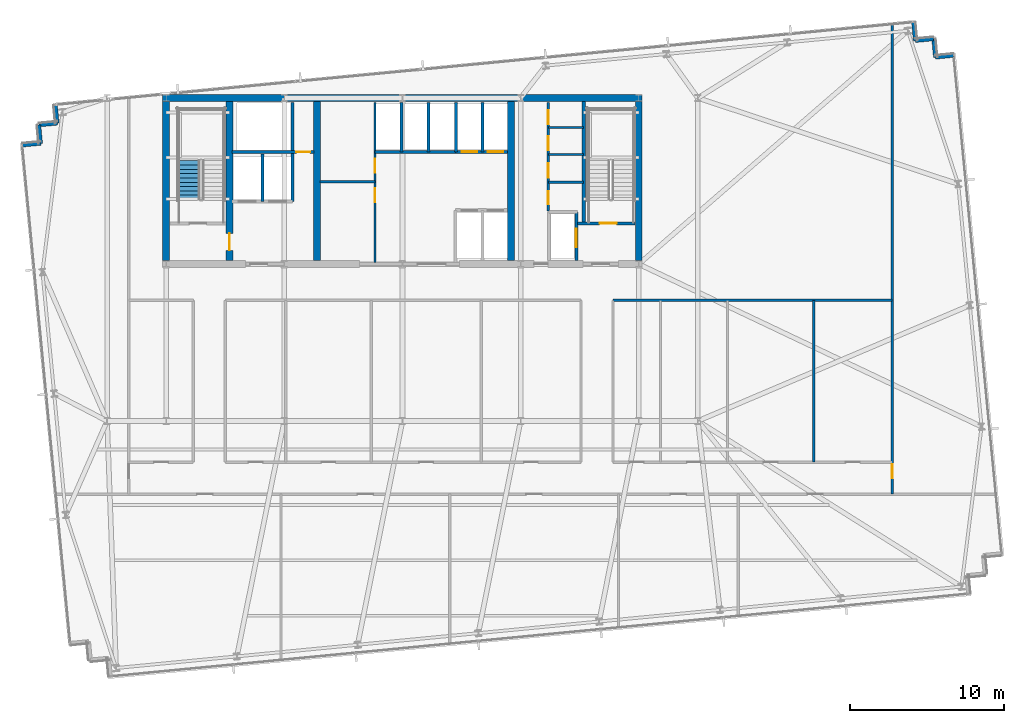
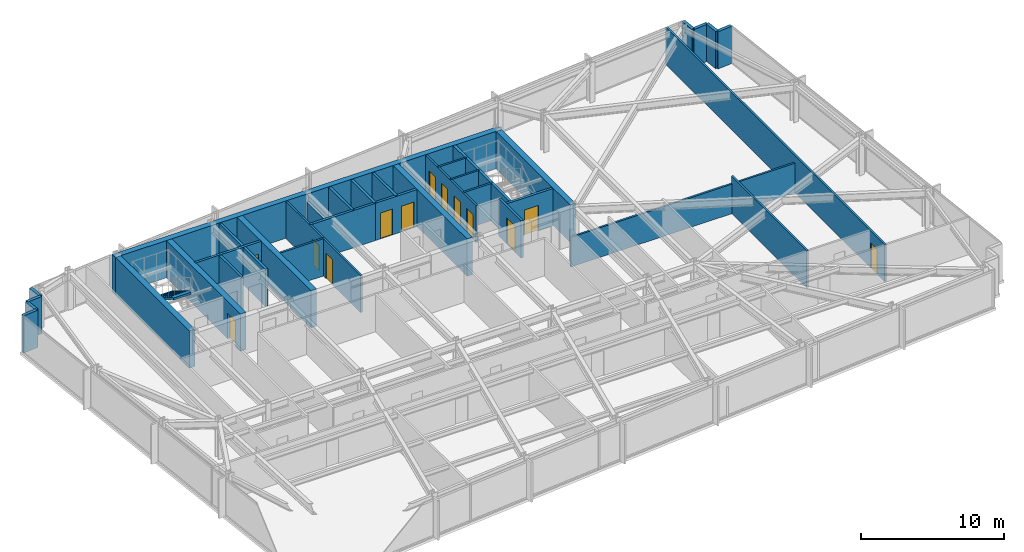
# One storey, part 26 of 33: 35 walls, 13 doors, 1 stair flight, 13 openings, 1 element without a shape of its own.
"""IFC4 building model written with IfcOpenShell, lengths in metres."""

from ifc_helpers import new_model, si_unit, direction, frame, frame_2d, origin, place, context, subcontext, project, spatial, polyline, rectangle, outline, extrude, material, layer, layer_set, type_object, element, fill, aggregate, save


model = new_model("IFC4")

# Units and contexts
model_context = context("Model", 3, precision=1e-05, world=origin(), true_north=direction((0.0, 1.0)))
body_context = subcontext(model_context, "Body", "Model", "MODEL_VIEW")
ifc_project = project(units=[si_unit("LENGTHUNIT", "METRE"), si_unit("AREAUNIT", "SQUARE_METRE"), si_unit("VOLUMEUNIT", "CUBIC_METRE"), si_unit("PLANEANGLEUNIT", "RADIAN"), si_unit("MASSUNIT", "GRAM", prefix="KILO")], contexts=[model_context])

# Site, building, storey
site_placement = place(None, origin())
site = spatial("IfcSite", under=ifc_project, at=site_placement, CompositionType="ELEMENT")
building_placement = place(site_placement, origin())
building = spatial("IfcBuilding", under=site, at=building_placement, Name="Yelkora Congress Tower", CompositionType="ELEMENT")
storey_placement = place(building_placement, frame((0.0, 0.0, 127.10009765625)))
storey = spatial("IfcBuildingStorey", under=building, at=storey_placement, Name="L34", CompositionType="ELEMENT", Elevation=127.10009765625)

# Walls
ifc_material_1 = material(Name="Concrete C50/60", Category="concrete")
ifc_layer_1 = layer(ifc_material_1, 0.219970703125)
ifc_layer_set_1 = layer_set([ifc_layer_1], Name="Concrete C50/60")
wall_type_1 = type_object("IfcWallType", Name="WALL-CORE-INT-220", PredefinedType="SHEAR", material=ifc_layer_set_1)
wall_1_placement = place(storey_placement, frame((50.179931640625, 38.050048828125, 0.0), z_axis=(0.0, 0.0, 1.0), x_axis=(0.0, 1.0, 0.0)))
element("IfcWall", 1, at=wall_1_placement, inside=storey, type_object=wall_type_1, Name="L34 ST02 West Stair Shear Wall", PredefinedType="SHEAR", context=body_context, shape_type="SweptSolid", body=[
    extrude(rectangle(XDim=7.925048828125, YDim=0.219970703125, at=frame_2d((3.96240234375, 0.0))), origin(), (0.0, 0.0, 1.0), 3.179931640625),
])
ifc_material_2 = material(Name="Concrete C60/75", Category="concrete")
ifc_layer_2 = layer(ifc_material_2, 0.449951171875)
ifc_layer_set_2 = layer_set([ifc_layer_2], Name="Concrete C60/75")
wall_type_2 = type_object("IfcWallType", Name="WALL-CORE-INT-450", PredefinedType="SHEAR", material=ifc_layer_set_2)
wall_2_placement = place(storey_placement, frame((22.81494140625, 46.199951171875, 0.0), z_axis=(0.0, 0.0, 1.0), x_axis=(1.0, 0.0, 0.0)))
element("IfcWall", 2, at=wall_2_placement, inside=storey, type_object=wall_type_2, Name="L34 Rear Core North Shear Wall", PredefinedType="SHEAR", context=body_context, shape_type="SweptSolid", body=[
    extrude(rectangle(XDim=31.170166015625, YDim=0.449951171875, at=frame_2d((15.5849609375, 0.0))), origin(), (0.0, 0.0, 1.0), 3.179931640625),
])
wall_3_placement = place(storey_placement, frame((23.0400390625, 35.625, 0.0), z_axis=(0.0, 0.0, 1.0), x_axis=(0.0, 1.0, 0.0)))
element("IfcWall", 3, at=wall_3_placement, inside=storey, type_object=wall_type_2, Name="L34 Rear Core Cross Shear Wall W", PredefinedType="SHEAR", context=body_context, shape_type="SweptSolid", body=[
    extrude(rectangle(XDim=10.35009765625, YDim=0.449951171875, at=frame_2d((5.175048828125, 0.0))), origin(), (0.0, 0.0, 1.0), 3.179931640625),
])

# Wall, opening, door
wall_4_placement = place(storey_placement, frame((27.14990234375, 35.625, 0.0), z_axis=(0.0, 0.0, 1.0), x_axis=(0.0, 1.0, 0.0)))
wall_4 = element("IfcWall", 4, at=wall_4_placement, inside=storey, type_object=wall_type_2, Name="L34 Rear Core Cross Shear Wall C1", PredefinedType="SHEAR", context=body_context, shape_type="SweptSolid", body=[
    extrude(rectangle(XDim=10.35009765625, YDim=0.449951171875, at=frame_2d((5.175048828125, 0.0))), origin(), (0.0, 0.0, 1.0), 3.179931640625),
])
opening_1_placement = place(wall_4_placement, frame((0.675048828125, 0.0, 0.0)))
opening_1 = element("IfcOpeningElement", 5, at=opening_1_placement, cuts=wall_4, Name="Opening DR-110F9", PredefinedType="OPENING", context=body_context, shape_type="SweptSolid", body=[
    extrude(rectangle(XDim=1.10009765625, YDim=2.14990234375, at=frame_2d((0.550048828125, 1.074951171875))), frame((0.0, 0.23486328125, 0.0), z_axis=(0.0, -1.0, 0.0), x_axis=(1.0, 0.0, 0.0)), (0.0, 0.0, 1.0), 0.469970703125),
])
ifc_material_3 = material(Name="Galvanised steel fire door leaf", Category="steel")
door_type_1 = type_object("IfcDoorType", Name="DOOR-FD90-1100", OperationType="NOTDEFINED", PredefinedType="DOOR", material=ifc_material_3)
door_1_placement = place(opening_1_placement, origin())
door_1 = element("IfcDoor", 6, at=door_1_placement, inside=storey, type_object=door_type_1, Name="L34 Firefighting Stair Transfer Door", OperationType="SINGLE_SWING_LEFT", OverallHeight=2.14990234375, OverallWidth=1.10009765625, PredefinedType="DOOR", context=body_context, shape_type="SweptSolid", body=[
    extrude(rectangle(XDim=1.10009765625, YDim=2.14990234375, at=frame_2d((0.550048828125, 1.074951171875))), frame((0.0, 0.02490234375, 0.0), z_axis=(0.0, -1.0, 0.0), x_axis=(1.0, 0.0, 0.0)), (0.0, 0.0, 1.0), 0.050048828125),
])
fill(opening_1, door_1)

# Walls
for number, where, z_axis, x_axis, name in (
    (7, (32.85009765625, 35.625, 0.0), (0.0, 0.0, 1.0), (0.0, 1.0, 0.0), "L34 Rear Core Cross Shear Wall C2"),
    (8, (45.449951171875, 35.625, 0.0), (0.0, 0.0, 1.0), (0.0, 1.0, 0.0), "L34 Rear Core Cross Shear Wall C3"),
    (9, (53.760009765625, 35.625, 0.0), (0.0, 0.0, 1.0), (0.0, 1.0, 0.0), "L34 Rear Core Cross Shear Wall E"),
):
    element("IfcWall", number, at=place(storey_placement, frame(where, z_axis=z_axis, x_axis=x_axis)), inside=storey, type_object=wall_type_2, Name=name, PredefinedType="SHEAR", context=body_context, shape_type="SweptSolid", body=[
        extrude(rectangle(XDim=10.35009765625, YDim=0.449951171875, at=frame_2d((5.175048828125, 0.0))), origin(), (0.0, 0.0, 1.0), 3.179931640625),
    ])
ifc_material_4 = material(Name="Concrete C40/50", Category="concrete")
ifc_layer_3 = layer(ifc_material_4, 0.239990234375)
ifc_layer_set_3 = layer_set([ifc_layer_3], Name="Concrete C40/50")
wall_type_3 = type_object("IfcWallType", Name="WALL-EXT-LIMESTONE-240", PredefinedType="SOLIDWALL", material=ifc_layer_set_3)
for number, where, z_axis, x_axis, name in (
    (10, (13.69091796875, 43.126708984375, 0.0), (0.0, 0.0, 1.0), (0.995398960025, 0.095817067274, 0.0), "L34 Serrated Corner Limestone Pier 6"),
    (11, (14.885498046875, 43.24169921875, 0.0), (0.0, 0.0, 1.0), (-0.095817067274, 0.995398960025, 0.0), "L34 Serrated Corner Limestone Pier 7"),
):
    element("IfcWall", number, at=place(storey_placement, frame(where, z_axis=z_axis, x_axis=x_axis)), inside=storey, type_object=wall_type_3, Name=name, PredefinedType="SOLIDWALL", context=body_context, shape_type="SweptSolid", body=[
        extrude(rectangle(XDim=1.2001953125, YDim=0.239990234375, at=frame_2d((0.60009765625, 0.0))), origin(), (0.0, 0.0, 1.0), 3.179931640625),
    ])
for number, where, z_axis, x_axis, name in (
    (12, (14.7705078125, 44.436279296875, 0.0), (0.0, 0.0, 1.0), (0.995397091755, 0.095836473879, 0.0), "L34 Serrated Corner Limestone Pier 8"),
    (13, (15.96484375, 44.55126953125, 0.0), (0.0, 0.0, 1.0), (-0.095836473879, 0.995397091755, 0.0), "L34 Serrated Corner Limestone Pier 9"),
):
    element("IfcWall", number, at=place(storey_placement, frame(where, z_axis=z_axis, x_axis=x_axis)), inside=storey, type_object=wall_type_3, Name=name, PredefinedType="SOLIDWALL", context=body_context, shape_type="SweptSolid", body=[
        extrude(rectangle(XDim=1.199951171875, YDim=0.239990234375, at=frame_2d((0.60009765625, 0.0))), origin(), (0.0, 0.0, 1.0), 3.179931640625),
    ])
for number, where, z_axis, x_axis, name in (
    (14, (71.61181640625, 51.114990234375, 0.0), (0.0, 0.0, 1.0), (0.095817067274, -0.995398960025, 0.0), "L34 Serrated Corner Limestone Pier 11"),
    (15, (71.726806640625, 49.92041015625, 0.0), (0.0, 0.0, 1.0), (0.995398960025, 0.095817067274, 0.0), "L34 Serrated Corner Limestone Pier 12"),
    (16, (72.92138671875, 50.035400390625, 0.0), (0.0, 0.0, 1.0), (0.095817067274, -0.995398960025, 0.0), "L34 Serrated Corner Limestone Pier 13"),
    (17, (73.036376953125, 48.8408203125, 0.0), (0.0, 0.0, 1.0), (0.995379537303, 0.096018626938, 0.0), "L34 Serrated Corner Limestone Pier 14"),
):
    element("IfcWall", number, at=place(storey_placement, frame(where, z_axis=z_axis, x_axis=x_axis)), inside=storey, type_object=wall_type_3, Name=name, PredefinedType="SOLIDWALL", context=body_context, shape_type="SweptSolid", body=[
        extrude(rectangle(XDim=1.2001953125, YDim=0.239990234375, at=frame_2d((0.60009765625, 0.0))), origin(), (0.0, 0.0, 1.0), 3.179931640625),
    ])
ifc_material_5 = material(Name="Acoustic metal-stud gypsum partition", Category="gypsum")
ifc_layer_4 = layer(ifc_material_5, 0.14990234375)
ifc_layer_set_4 = layer_set([ifc_layer_4], Name="Acoustic metal-stud gypsum partition")
wall_type_4 = type_object("IfcWallType", Name="WALL-INT-150-NR", PredefinedType="PARTITIONING", material=ifc_layer_set_4)
for number, where, z_axis, x_axis, name in (
    (18, (47.8798828125, 40.719970703125, 0.0), (0.0, 0.0, 1.0), (1.0, 0.0, 0.0), "L34 Partition Wall 24"),
    (19, (47.8798828125, 42.52001953125, 0.0), (0.0, 0.0, 1.0), (1.0, 0.0, 0.0), "L34 Partition Wall 25"),
    (20, (47.8798828125, 44.280029296875, 0.0), (0.0, 0.0, 1.0), (1.0, 0.0, 0.0), "L34 Partition Wall 26"),
):
    element("IfcWall", number, at=place(storey_placement, frame(where, z_axis=z_axis, x_axis=x_axis)), inside=storey, type_object=wall_type_4, Name=name, PredefinedType="PARTITIONING", context=body_context, shape_type="SweptSolid", body=[
        extrude(rectangle(XDim=2.300048828125, YDim=0.14990234375, at=frame_2d((1.14990234375, 0.0))), origin(), (0.0, 0.0, 1.0), 3.179931640625),
    ])

# Wall, openings, doors
wall_5_placement = place(storey_placement, frame((47.8798828125, 38.85009765625, 0.0), z_axis=(0.0, 0.0, 1.0), x_axis=(0.0, 1.0, 0.0)))
wall_5 = element("IfcWall", 21, at=wall_5_placement, inside=storey, type_object=wall_type_4, Name="L34 Partition Wall 27", PredefinedType="PARTITIONING", context=body_context, shape_type="SweptSolid", body=[
    extrude(rectangle(XDim=7.06982421875, YDim=0.14990234375, at=frame_2d((3.534912109375, 0.0))), origin(), (0.0, 0.0, 1.0), 3.179931640625),
])
opening_2_placement = place(wall_5_placement, frame((0.449951171875, 0.0, 0.0)))
opening_2 = element("IfcOpeningElement", 22, at=opening_2_placement, cuts=wall_5, Name="Opening DR-085N", PredefinedType="OPENING", context=body_context, shape_type="SweptSolid", body=[
    extrude(rectangle(XDim=0.85009765625, YDim=2.14990234375, at=frame_2d((0.425048828125, 1.074951171875))), frame((0.0, 0.0849609375, 0.0), z_axis=(0.0, -1.0, 0.0), x_axis=(1.0, 0.0, 0.0)), (0.0, 0.0, 1.0), 0.169921875),
])
opening_3_placement = place(wall_5_placement, frame((2.14990234375, 0.0, 0.0)))
opening_3 = element("IfcOpeningElement", 23, at=opening_3_placement, cuts=wall_5, Name="Opening DR-095N", PredefinedType="OPENING", context=body_context, shape_type="SweptSolid", body=[
    extrude(rectangle(XDim=0.949951171875, YDim=2.14990234375, at=frame_2d((0.47509765625, 1.074951171875))), frame((0.0, 0.0849609375, 0.0), z_axis=(0.0, -1.0, 0.0), x_axis=(1.0, 0.0, 0.0)), (0.0, 0.0, 1.0), 0.169921875),
])
opening_4_placement = place(wall_5_placement, frame((3.949951171875, 0.0, 0.0)))
opening_4 = element("IfcOpeningElement", 24, at=opening_4_placement, cuts=wall_5, Name="Opening DR-090N", PredefinedType="OPENING", context=body_context, shape_type="SweptSolid", body=[
    extrude(rectangle(XDim=0.89990234375, YDim=2.14990234375, at=frame_2d((0.449951171875, 1.074951171875))), frame((0.0, 0.0849609375, 0.0), z_axis=(0.0, -1.0, 0.0), x_axis=(1.0, 0.0, 0.0)), (0.0, 0.0, 1.0), 0.169921875),
])
opening_5_placement = place(wall_5_placement, frame((5.64990234375, 0.0, 0.0)))
opening_5 = element("IfcOpeningElement", 25, at=opening_5_placement, cuts=wall_5, Name="Opening DR-090N", PredefinedType="OPENING", context=body_context, shape_type="SweptSolid", body=[
    extrude(rectangle(XDim=0.89990234375, YDim=2.14990234375, at=frame_2d((0.449951171875, 1.074951171875))), frame((0.0, 0.0849609375, 0.0), z_axis=(0.0, -1.0, 0.0), x_axis=(1.0, 0.0, 0.0)), (0.0, 0.0, 1.0), 0.169921875),
])
ifc_material_6 = material(Name="Laminate service store door leaf", Category="wood")
door_type_2 = type_object("IfcDoorType", Name="DOOR-INT-850", OperationType="NOTDEFINED", PredefinedType="DOOR", material=ifc_material_6)
door_2_placement = place(opening_2_placement, origin())
door_2 = element("IfcDoor", 26, at=door_2_placement, inside=storey, type_object=door_type_2, Name="L34 Janitor Room Door", OperationType="SINGLE_SWING_RIGHT", OverallHeight=2.14990234375, OverallWidth=0.85009765625, PredefinedType="DOOR", context=body_context, shape_type="SweptSolid", body=[
    extrude(rectangle(XDim=0.85009765625, YDim=2.14990234375, at=frame_2d((0.425048828125, 1.074951171875))), frame((0.0, 0.02490234375, 0.0), z_axis=(0.0, -1.0, 0.0), x_axis=(1.0, 0.0, 0.0)), (0.0, 0.0, 1.0), 0.050048828125),
])
fill(opening_2, door_2)
ifc_material_7 = material(Name="Moisture-resistant laminate door leaf", Category="wood")
door_type_3 = type_object("IfcDoorType", Name="DOOR-INT-900", OperationType="NOTDEFINED", PredefinedType="DOOR", material=ifc_material_7)
door_3_placement = place(opening_4_placement, origin())
door_3 = element("IfcDoor", 27, at=door_3_placement, inside=storey, type_object=door_type_3, Name="L34 Male WC Door", OperationType="SINGLE_SWING_RIGHT", OverallHeight=2.14990234375, OverallWidth=0.89990234375, PredefinedType="DOOR", context=body_context, shape_type="SweptSolid", body=[
    extrude(rectangle(XDim=0.89990234375, YDim=2.14990234375, at=frame_2d((0.449951171875, 1.074951171875))), frame((0.0, 0.02490234375, 0.0), z_axis=(0.0, -1.0, 0.0), x_axis=(1.0, 0.0, 0.0)), (0.0, 0.0, 1.0), 0.050048828125),
])
fill(opening_4, door_3)
door_4_placement = place(opening_5_placement, origin())
door_4 = element("IfcDoor", 28, at=door_4_placement, inside=storey, type_object=door_type_3, Name="L34 Female WC Door", OperationType="SINGLE_SWING_LEFT", OverallHeight=2.14990234375, OverallWidth=0.89990234375, PredefinedType="DOOR", context=body_context, shape_type="SweptSolid", body=[
    extrude(rectangle(XDim=0.89990234375, YDim=2.14990234375, at=frame_2d((0.449951171875, 1.074951171875))), frame((0.0, 0.02490234375, 0.0), z_axis=(0.0, -1.0, 0.0), x_axis=(1.0, 0.0, 0.0)), (0.0, 0.0, 1.0), 0.050048828125),
])
fill(opening_5, door_4)
ifc_material_8 = material(Name="Acoustic laminated timber office door", Category="wood")
door_type_4 = type_object("IfcDoorType", Name="DOOR-INT-950", OperationType="NOTDEFINED", PredefinedType="DOOR", material=ifc_material_8)
door_5_placement = place(opening_3_placement, origin())
door_5 = element("IfcDoor", 29, at=door_5_placement, inside=storey, type_object=door_type_4, Name="L34 Accessible WC Door", OperationType="SINGLE_SWING_LEFT", OverallHeight=2.14990234375, OverallWidth=0.949951171875, PredefinedType="DOOR", context=body_context, shape_type="SweptSolid", body=[
    extrude(rectangle(XDim=0.949951171875, YDim=2.14990234375, at=frame_2d((0.47509765625, 1.074951171875))), frame((0.0, 0.02490234375, 0.0), z_axis=(0.0, -1.0, 0.0), x_axis=(1.0, 0.0, 0.0)), (0.0, 0.0, 1.0), 0.050048828125),
])
fill(opening_3, door_5)

# Wall, opening, door
wall_6_placement = place(storey_placement, frame((70.236083984375, 20.449951171875, 0.0), z_axis=(0.0, 0.0, 1.0), x_axis=(0.0, 1.0, 0.0)))
wall_6 = element("IfcWall", 30, at=wall_6_placement, inside=storey, type_object=wall_type_4, Name="L34 Partition Wall 34", PredefinedType="PARTITIONING", context=body_context, shape_type="SweptSolid", body=[
    extrude(rectangle(XDim=30.5927734375, YDim=0.14990234375, at=frame_2d((15.29638671875, 0.0))), origin(), (0.0, 0.0, 1.0), 3.179931640625),
])
opening_6_placement = place(wall_6_placement, frame((1.030029296875, 0.0, 0.0)))
opening_6 = element("IfcOpeningElement", 31, at=opening_6_placement, cuts=wall_6, Name="Opening DR-090N", PredefinedType="OPENING", context=body_context, shape_type="SweptSolid", body=[
    extrude(rectangle(XDim=0.89990234375, YDim=2.14990234375, at=frame_2d((0.449951171875, 1.074951171875))), frame((0.0, 0.0849609375, 0.0), z_axis=(0.0, -1.0, 0.0), x_axis=(1.0, 0.0, 0.0)), (0.0, 0.0, 1.0), 0.169921875),
])
door_6_placement = place(opening_6_placement, origin())
door_6 = element("IfcDoor", 32, at=door_6_placement, inside=storey, type_object=door_type_3, Name="L34 E Wing Door", OperationType="SINGLE_SWING_RIGHT", OverallHeight=2.14990234375, OverallWidth=0.89990234375, PredefinedType="DOOR", context=body_context, shape_type="SweptSolid", body=[
    extrude(rectangle(XDim=0.89990234375, YDim=2.14990234375, at=frame_2d((0.449951171875, 1.074951171875))), frame((0.0, 0.02490234375, 0.0), z_axis=(0.0, -1.0, 0.0), x_axis=(1.0, 0.0, 0.0)), (0.0, 0.0, 1.0), 0.050048828125),
])
fill(opening_6, door_6)

# Walls
wall_7_placement = place(storey_placement, frame((52.080078125, 33.050048828125, 0.0), z_axis=(0.0, 0.0, 1.0), x_axis=(1.0, 0.0, 0.0)))
element("IfcWall", 33, at=wall_7_placement, inside=storey, type_object=wall_type_4, Name="L34 Partition Wall 41", PredefinedType="PARTITIONING", context=body_context, shape_type="SweptSolid", body=[
    extrude(rectangle(XDim=18.156005859375, YDim=0.14990234375, at=frame_2d((9.078125, 0.0))), origin(), (0.0, 0.0, 1.0), 2.52490234375),
])
wall_8_placement = place(storey_placement, frame((65.14111328125, 22.530029296875, 0.0), z_axis=(0.0, 0.0, 1.0), x_axis=(0.0, 1.0, 0.0)))
element("IfcWall", 34, at=wall_8_placement, inside=storey, type_object=wall_type_4, Name="L34 Partition Wall 49", PredefinedType="PARTITIONING", context=body_context, shape_type="SweptSolid", body=[
    extrude(rectangle(XDim=10.52001953125, YDim=0.14990234375, at=frame_2d((5.260009765625, 0.0))), origin(), (0.0, 0.0, 1.0), 3.179931640625),
])
ifc_material_9 = material(Name="Twin-stud fire-rated gypsum partition", Category="gypsum")
ifc_layer_5 = layer(ifc_material_9, 0.14990234375)
ifc_layer_set_5 = layer_set([ifc_layer_5], Name="Twin-stud fire-rated gypsum partition")
wall_type_5 = type_object("IfcWallType", Name="WALL-INT-150-R60", PredefinedType="PARTITIONING", material=ifc_layer_set_5)
wall_9_placement = place(storey_placement, frame((33.050048828125, 40.75, 0.0), z_axis=(0.0, 0.0, 1.0), x_axis=(1.0, 0.0, 0.0)))
element("IfcWall", 35, at=wall_9_placement, inside=storey, type_object=wall_type_5, Name="L34 Partition Wall 11", PredefinedType="PARTITIONING", context=body_context, shape_type="SweptSolid", body=[
    extrude(rectangle(XDim=3.570068359375, YDim=0.14990234375, at=frame_2d((1.78515625, 0.0))), origin(), (0.0, 0.0, 1.0), 3.179931640625),
])

# Wall, openings, doors
wall_10_placement = place(storey_placement, frame((36.6201171875, 35.5, 0.0), z_axis=(0.0, 0.0, 1.0), x_axis=(0.0, 1.0, 0.0)))
wall_10 = element("IfcWall", 36, at=wall_10_placement, inside=storey, type_object=wall_type_5, Name="L34 Partition Wall 12", PredefinedType="PARTITIONING", context=body_context, shape_type="SweptSolid", body=[
    extrude(rectangle(XDim=10.419921875, YDim=0.14990234375, at=frame_2d((5.2099609375, 0.0))), origin(), (0.0, 0.0, 1.0), 3.179931640625),
])
opening_7_placement = place(wall_10_placement, frame((3.919921875, 0.0, 0.0)))
opening_7 = element("IfcOpeningElement", 37, at=opening_7_placement, cuts=wall_10, Name="Opening DR-090F6", PredefinedType="OPENING", context=body_context, shape_type="SweptSolid", body=[
    extrude(rectangle(XDim=0.89990234375, YDim=2.14990234375, at=frame_2d((0.449951171875, 1.074951171875))), frame((0.0, 0.0849609375, 0.0), z_axis=(0.0, -1.0, 0.0), x_axis=(1.0, 0.0, 0.0)), (0.0, 0.0, 1.0), 0.169921875),
])
opening_8_placement = place(wall_10_placement, frame((5.85009765625, 0.0, 0.0)))
opening_8 = element("IfcOpeningElement", 38, at=opening_8_placement, cuts=wall_10, Name="Opening DR-090F6", PredefinedType="OPENING", context=body_context, shape_type="SweptSolid", body=[
    extrude(rectangle(XDim=0.89990234375, YDim=2.14990234375, at=frame_2d((0.449951171875, 1.074951171875))), frame((0.0, 0.0849609375, 0.0), z_axis=(0.0, -1.0, 0.0), x_axis=(1.0, 0.0, 0.0)), (0.0, 0.0, 1.0), 0.169921875),
])
ifc_material_10 = material(Name="Painted steel riser fire door leaf", Category="steel")
door_type_5 = type_object("IfcDoorType", Name="DOOR-FD60-900", OperationType="NOTDEFINED", PredefinedType="DOOR", material=ifc_material_10)
door_7_placement = place(opening_7_placement, origin())
door_7 = element("IfcDoor", 39, at=door_7_placement, inside=storey, type_object=door_type_5, Name="L34 Telecom Store Door", OperationType="SINGLE_SWING_LEFT", OverallHeight=2.14990234375, OverallWidth=0.89990234375, PredefinedType="DOOR", context=body_context, shape_type="SweptSolid", body=[
    extrude(rectangle(XDim=0.89990234375, YDim=2.14990234375, at=frame_2d((0.449951171875, 1.074951171875))), frame((0.0, 0.02490234375, 0.0), z_axis=(0.0, -1.0, 0.0), x_axis=(1.0, 0.0, 0.0)), (0.0, 0.0, 1.0), 0.050048828125),
])
fill(opening_7, door_7)
door_8_placement = place(opening_8_placement, origin())
door_8 = element("IfcDoor", 40, at=door_8_placement, inside=storey, type_object=door_type_5, Name="L34 Archive Store Door", OperationType="SINGLE_SWING_RIGHT", OverallHeight=2.14990234375, OverallWidth=0.89990234375, PredefinedType="DOOR", context=body_context, shape_type="SweptSolid", body=[
    extrude(rectangle(XDim=0.89990234375, YDim=2.14990234375, at=frame_2d((0.449951171875, 1.074951171875))), frame((0.0, 0.02490234375, 0.0), z_axis=(0.0, -1.0, 0.0), x_axis=(1.0, 0.0, 0.0)), (0.0, 0.0, 1.0), 0.050048828125),
])
fill(opening_8, door_8)

# Walls
ifc_material_11 = material(Name="Autoclaved aerated concrete blockwork", Category="masonry")
ifc_layer_6 = layer(ifc_material_11, 0.199951171875)
ifc_layer_set_6 = layer_set([ifc_layer_6], Name="Autoclaved aerated concrete blockwork")
wall_type_6 = type_object("IfcWallType", Name="WALL-INT-200-R120", PredefinedType="PARTITIONING", material=ifc_layer_set_6)
wall_11_placement = place(storey_placement, frame((29.300048828125, 39.47998046875, 0.0), z_axis=(0.0, 0.0, 1.0), x_axis=(0.0, 1.0, 0.0)))
element("IfcWall", 41, at=wall_11_placement, inside=storey, type_object=wall_type_6, Name="L34 Partition Wall 4", PredefinedType="PARTITIONING", context=body_context, shape_type="SweptSolid", body=[
    extrude(rectangle(XDim=3.070068359375, YDim=0.199951171875, at=frame_2d((1.53515625, 0.0))), origin(), (0.0, 0.0, 1.0), 3.179931640625),
])
wall_12_placement = place(storey_placement, frame((31.260009765625, 39.47998046875, 0.0), z_axis=(0.0, 0.0, 1.0), x_axis=(0.0, 1.0, 0.0)))
element("IfcWall", 42, at=wall_12_placement, inside=storey, type_object=wall_type_6, Name="L34 Partition Wall 5", PredefinedType="PARTITIONING", context=body_context, shape_type="SweptSolid", body=[
    extrude(rectangle(XDim=6.43994140625, YDim=0.199951171875, at=frame_2d((3.219970703125, 0.0))), origin(), (0.0, 0.0, 1.0), 3.179931640625),
])

# Wall, opening, door
wall_13_placement = place(storey_placement, frame((27.320068359375, 42.679931640625, 0.0), z_axis=(0.0, 0.0, 1.0), x_axis=(1.0, 0.0, 0.0)))
wall_13 = element("IfcWall", 43, at=wall_13_placement, inside=storey, type_object=wall_type_6, Name="L34 Smoke Riser South Wall", PredefinedType="PARTITIONING", context=body_context, shape_type="SweptSolid", body=[
    extrude(rectangle(XDim=5.329833984375, YDim=0.199951171875, at=frame_2d((2.6650390625, 0.0))), origin(), (0.0, 0.0, 1.0), 3.179931640625),
])
opening_9_placement = place(wall_13_placement, frame((4.179931640625, 0.0, 0.0)))
opening_9 = element("IfcOpeningElement", 44, at=opening_9_placement, cuts=wall_13, Name="Opening DR-090F6", PredefinedType="OPENING", context=body_context, shape_type="SweptSolid", body=[
    extrude(rectangle(XDim=0.89990234375, YDim=2.14990234375, at=frame_2d((0.449951171875, 1.074951171875))), frame((0.0, 0.10986328125, 0.0), z_axis=(0.0, -1.0, 0.0), x_axis=(1.0, 0.0, 0.0)), (0.0, 0.0, 1.0), 0.219970703125),
])
door_9_placement = place(opening_9_placement, origin())
door_9 = element("IfcDoor", 45, at=door_9_placement, inside=storey, type_object=door_type_5, Name="L34 Riser Access Door", OperationType="SINGLE_SWING_LEFT", OverallHeight=2.14990234375, OverallWidth=0.89990234375, PredefinedType="DOOR", context=body_context, shape_type="SweptSolid", body=[
    extrude(rectangle(XDim=0.89990234375, YDim=2.14990234375, at=frame_2d((0.449951171875, 1.074951171875))), frame((0.0, 0.02490234375, 0.0), z_axis=(0.0, -1.0, 0.0), x_axis=(1.0, 0.0, 0.0)), (0.0, 0.0, 1.0), 0.050048828125),
])
fill(opening_9, door_9)

# Walls
wall_14_placement = place(storey_placement, frame((36.60009765625, 42.699951171875, 0.0), z_axis=(0.0, 0.0, 1.0), x_axis=(1.0, 0.0, 0.0)))
element("IfcWall", 46, at=wall_14_placement, inside=storey, type_object=wall_type_6, Name="L34 Partition Wall 8", PredefinedType="PARTITIONING", context=body_context, shape_type="SweptSolid", body=[
    extrude(rectangle(XDim=5.25, YDim=0.199951171875, at=frame_2d((2.625, 0.0))), origin(), (0.0, 0.0, 1.0), 3.179931640625),
])
wall_15_placement = place(storey_placement, frame((38.35009765625, 42.699951171875, 0.0), z_axis=(0.0, 0.0, 1.0), x_axis=(0.0, 1.0, 0.0)))
element("IfcWall", 47, at=wall_15_placement, inside=storey, type_object=wall_type_6, Name="L34 Partition Wall 9", PredefinedType="PARTITIONING", context=body_context, shape_type="SweptSolid", body=[
    extrude(rectangle(XDim=3.219970703125, YDim=0.199951171875, at=frame_2d((1.60986328125, 0.0))), origin(), (0.0, 0.0, 1.0), 2.52490234375),
])
wall_16_placement = place(storey_placement, frame((40.10009765625, 42.699951171875, 0.0), z_axis=(0.0, 0.0, 1.0), x_axis=(0.0, 1.0, 0.0)))
element("IfcWall", 48, at=wall_16_placement, inside=storey, type_object=wall_type_6, Name="L34 Partition Wall 10", PredefinedType="PARTITIONING", context=body_context, shape_type="SweptSolid", body=[
    extrude(rectangle(XDim=3.219970703125, YDim=0.199951171875, at=frame_2d((1.60986328125, 0.0))), origin(), (0.0, 0.0, 1.0), 3.179931640625),
])

# Wall, openings, doors
wall_17_placement = place(storey_placement, frame((41.85009765625, 42.699951171875, 0.0), z_axis=(0.0, 0.0, 1.0), x_axis=(1.0, 0.0, 0.0)))
wall_17 = element("IfcWall", 49, at=wall_17_placement, inside=storey, type_object=wall_type_6, Name="L34 Partition Wall 14", PredefinedType="PARTITIONING", context=body_context, shape_type="SweptSolid", body=[
    extrude(rectangle(XDim=3.369873046875, YDim=0.199951171875, at=frame_2d((1.68505859375, 0.0))), origin(), (0.0, 0.0, 1.0), 3.179931640625),
])
opening_10_placement = place(wall_17_placement, frame((0.39990234375, 0.0, 0.0)))
opening_10 = element("IfcOpeningElement", 50, at=opening_10_placement, cuts=wall_17, Name="Opening LD-PS10", PredefinedType="OPENING", context=body_context, shape_type="SweptSolid", body=[
    extrude(rectangle(XDim=1.0, YDim=2.199951171875, at=frame_2d((0.5, 1.10009765625))), frame((0.0, 0.10986328125, 0.0), z_axis=(0.0, -1.0, 0.0), x_axis=(1.0, 0.0, 0.0)), (0.0, 0.0, 1.0), 0.219970703125),
])
opening_11_placement = place(wall_17_placement, frame((2.10009765625, 0.0, 0.0)))
opening_11 = element("IfcOpeningElement", 51, at=opening_11_placement, cuts=wall_17, Name="Opening LD-PS10", PredefinedType="OPENING", context=body_context, shape_type="SweptSolid", body=[
    extrude(rectangle(XDim=1.0, YDim=2.199951171875, at=frame_2d((0.5, 1.10009765625))), frame((0.0, 0.10986328125, 0.0), z_axis=(0.0, -1.0, 0.0), x_axis=(1.0, 0.0, 0.0)), (0.0, 0.0, 1.0), 0.219970703125),
])
ifc_material_12 = material(Name="Champagne stainless steel landing door", Category="steel")
door_type_6 = type_object("IfcDoorType", Name="DOOR-LIFT-PAS-1000", OperationType="DOUBLE_DOOR_SLIDING", PredefinedType="DOOR", material=ifc_material_12)
door_10_placement = place(opening_10_placement, origin())
door_10 = element("IfcDoor", 52, at=door_10_placement, inside=storey, type_object=door_type_6, Name="Lift Landing Door LF-P7 L34", OperationType="DOUBLE_DOOR_SLIDING", OverallHeight=2.199951171875, OverallWidth=1.0, PredefinedType="DOOR", context=body_context, shape_type="SweptSolid", body=[
    extrude(rectangle(XDim=1.0, YDim=2.199951171875, at=frame_2d((0.5, 1.10009765625))), frame((0.0, 0.02490234375, 0.0), z_axis=(0.0, -1.0, 0.0), x_axis=(1.0, 0.0, 0.0)), (0.0, 0.0, 1.0), 0.050048828125),
])
fill(opening_10, door_10)
door_11_placement = place(opening_11_placement, origin())
door_11 = element("IfcDoor", 53, at=door_11_placement, inside=storey, type_object=door_type_6, Name="Lift Landing Door LF-P8 L34", OperationType="DOUBLE_DOOR_SLIDING", OverallHeight=2.199951171875, OverallWidth=1.0, PredefinedType="DOOR", context=body_context, shape_type="SweptSolid", body=[
    extrude(rectangle(XDim=1.0, YDim=2.199951171875, at=frame_2d((0.5, 1.10009765625))), frame((0.0, 0.02490234375, 0.0), z_axis=(0.0, -1.0, 0.0), x_axis=(1.0, 0.0, 0.0)), (0.0, 0.0, 1.0), 0.050048828125),
])
fill(opening_11, door_11)

# Walls
for number, where, z_axis, x_axis, name in (
    (54, (43.60009765625, 42.699951171875, 0.0), (0.0, 0.0, 1.0), (0.0, 1.0, 0.0), "L34 Partition Wall 16"),
    (55, (41.8798828125, 42.699951171875, 0.0), (0.0, 0.0, 1.0), (0.0, 1.0, 0.0), "L34 Partition Wall 18"),
):
    element("IfcWall", number, at=place(storey_placement, frame(where, z_axis=z_axis, x_axis=x_axis)), inside=storey, type_object=wall_type_6, Name=name, PredefinedType="PARTITIONING", context=body_context, shape_type="SweptSolid", body=[
        extrude(rectangle(XDim=3.219970703125, YDim=0.199951171875, at=frame_2d((1.60986328125, 0.0))), origin(), (0.0, 0.0, 1.0), 3.179931640625),
    ])

# Wall, opening, door
wall_18_placement = place(storey_placement, frame((49.780029296875, 38.050048828125, 0.0), z_axis=(0.0, 0.0, 1.0), x_axis=(1.0, 0.0, 0.0)))
wall_18 = element("IfcWall", 56, at=wall_18_placement, inside=storey, type_object=wall_type_6, Name="L34 Stair ST-02 Enclosure Wall", PredefinedType="PARTITIONING", context=body_context, shape_type="SweptSolid", body=[
    extrude(rectangle(XDim=3.719970703125, YDim=0.199951171875, at=frame_2d((1.85986328125, 0.0))), origin(), (0.0, 0.0, 1.0), 3.179931640625),
])
opening_12_placement = place(wall_18_placement, frame((1.436279296875, 0.0, 0.0)))
opening_12 = element("IfcOpeningElement", 57, at=opening_12_placement, cuts=wall_18, Name="Opening DR-110F9", PredefinedType="OPENING", context=body_context, shape_type="SweptSolid", body=[
    extrude(rectangle(XDim=1.10009765625, YDim=2.14990234375, at=frame_2d((0.550048828125, 1.074951171875))), frame((0.0, 0.10986328125, 0.0), z_axis=(0.0, -1.0, 0.0), x_axis=(1.0, 0.0, 0.0)), (0.0, 0.0, 1.0), 0.219970703125),
])
door_12_placement = place(opening_12_placement, origin())
door_12 = element("IfcDoor", 58, at=door_12_placement, inside=storey, type_object=door_type_1, Name="L34 Stair ST-02 Entry Door", OperationType="SINGLE_SWING_LEFT", OverallHeight=2.14990234375, OverallWidth=1.10009765625, PredefinedType="DOOR", context=body_context, shape_type="SweptSolid", body=[
    extrude(rectangle(XDim=1.10009765625, YDim=2.14990234375, at=frame_2d((0.550048828125, 1.074951171875))), frame((0.0, 0.02490234375, 0.0), z_axis=(0.0, -1.0, 0.0), x_axis=(1.0, 0.0, 0.0)), (0.0, 0.0, 1.0), 0.050048828125),
])
fill(opening_12, door_12)

wall_19_placement = place(storey_placement, frame((49.699951171875, 35.64990234375, 0.0), z_axis=(0.0, 0.0, 1.0), x_axis=(0.0, 1.0, 0.0)))
wall_19 = element("IfcWall", 59, at=wall_19_placement, inside=storey, type_object=wall_type_6, Name="L34 Partition Wall 21", PredefinedType="PARTITIONING", context=body_context, shape_type="SweptSolid", body=[
    extrude(rectangle(XDim=3.150146484375, YDim=0.199951171875, at=frame_2d((1.5751953125, 0.0))), origin(), (0.0, 0.0, 1.0), 3.179931640625),
])
opening_13_placement = place(wall_19_placement, frame((0.85009765625, 0.0, 0.0)))
opening_13 = element("IfcOpeningElement", 60, at=opening_13_placement, cuts=wall_19, Name="Opening LD-SV12", PredefinedType="OPENING", context=body_context, shape_type="SweptSolid", body=[
    extrude(rectangle(XDim=1.199951171875, YDim=2.199951171875, at=frame_2d((0.60009765625, 1.10009765625))), frame((0.0, 0.10986328125, 0.0), z_axis=(0.0, -1.0, 0.0), x_axis=(1.0, 0.0, 0.0)), (0.0, 0.0, 1.0), 0.219970703125),
])
ifc_material_13 = material(Name="Heavy-duty stainless steel landing door", Category="steel")
door_type_7 = type_object("IfcDoorType", Name="DOOR-LIFT-SRV-1200", OperationType="DOUBLE_DOOR_SLIDING", PredefinedType="DOOR", material=ifc_material_13)
door_13_placement = place(opening_13_placement, origin())
door_13 = element("IfcDoor", 61, at=door_13_placement, inside=storey, type_object=door_type_7, Name="Service Lift Landing Door LF-SV1 L34", OperationType="DOUBLE_DOOR_SLIDING", OverallHeight=2.199951171875, OverallWidth=1.199951171875, PredefinedType="DOOR", context=body_context, shape_type="SweptSolid", body=[
    extrude(rectangle(XDim=1.199951171875, YDim=2.199951171875, at=frame_2d((0.60009765625, 1.10009765625))), frame((0.0, 0.02490234375, 0.0), z_axis=(0.0, -1.0, 0.0), x_axis=(1.0, 0.0, 0.0)), (0.0, 0.0, 1.0), 0.050048828125),
])
fill(opening_13, door_13)

# Stair, stair flight
stair_type = type_object("IfcStairType", Name="STAIR-HT-1420-R20-170", PredefinedType="HALF_TURN_STAIR", material=ifc_material_4)
stair_placement = place(storey_placement, origin())
stair = element("IfcStair", 62, at=stair_placement, inside=storey, type_object=stair_type, Name="West Core Protected Exit Stair ST-01 (L34)", PredefinedType="HALF_TURN_STAIR")
stair_flight_type = type_object("IfcStairFlightType", Name="FLIGHT-1420-N10-R170-G280", PredefinedType="STRAIGHT", material=ifc_material_4)
stair_flight_placement = place(storey_placement, frame((24.530029296875, 42.1201171875, 1.699951171875), z_axis=(0.0, 0.0, 1.0), x_axis=(0.0, -1.0, 0.0)))
stair_flight = element("IfcStairFlight", 63, at=stair_flight_placement, type_object=stair_flight_type, Name="ST-01 L34 Flight 2", NumberOfRisers=10, NumberOfTreads=9, PredefinedType="STRAIGHT", RiserHeight=0.17, TreadLength=0.28, context=body_context, shape_type="SweptSolid", body=[
    extrude(outline(polyline([(0.0, 0.0), (0.0, 0.169921875), (0.280029296875, 0.169921875), (0.280029296875, 0.340087890625), (0.56005859375, 0.340087890625), (0.56005859375, 0.510009765625), (0.840087890625, 0.510009765625), (0.840087890625, 0.679931640625), (1.1201171875, 0.679931640625), (1.1201171875, 0.85009765625), (1.39990234375, 0.85009765625), (1.39990234375, 1.02001953125), (1.679931640625, 1.02001953125), (1.679931640625, 1.18994140625), (1.9599609375, 1.18994140625), (1.9599609375, 1.360107421875), (2.239990234375, 1.360107421875), (2.239990234375, 1.530029296875), (2.52001953125, 1.530029296875), (2.52001953125, 1.699951171875), (2.52001953125, 1.343017578125), (0.30810546875, 0.0), (0.0, 0.0)])), frame((0.0, 0.7099609375, 0.0), z_axis=(0.0, -1.0, 0.0), x_axis=(1.0, 0.0, 0.0)), (0.0, 0.0, 1.0), 1.419921875),
])
aggregate(stair, [stair_flight])

save(model, "model.ifc")
